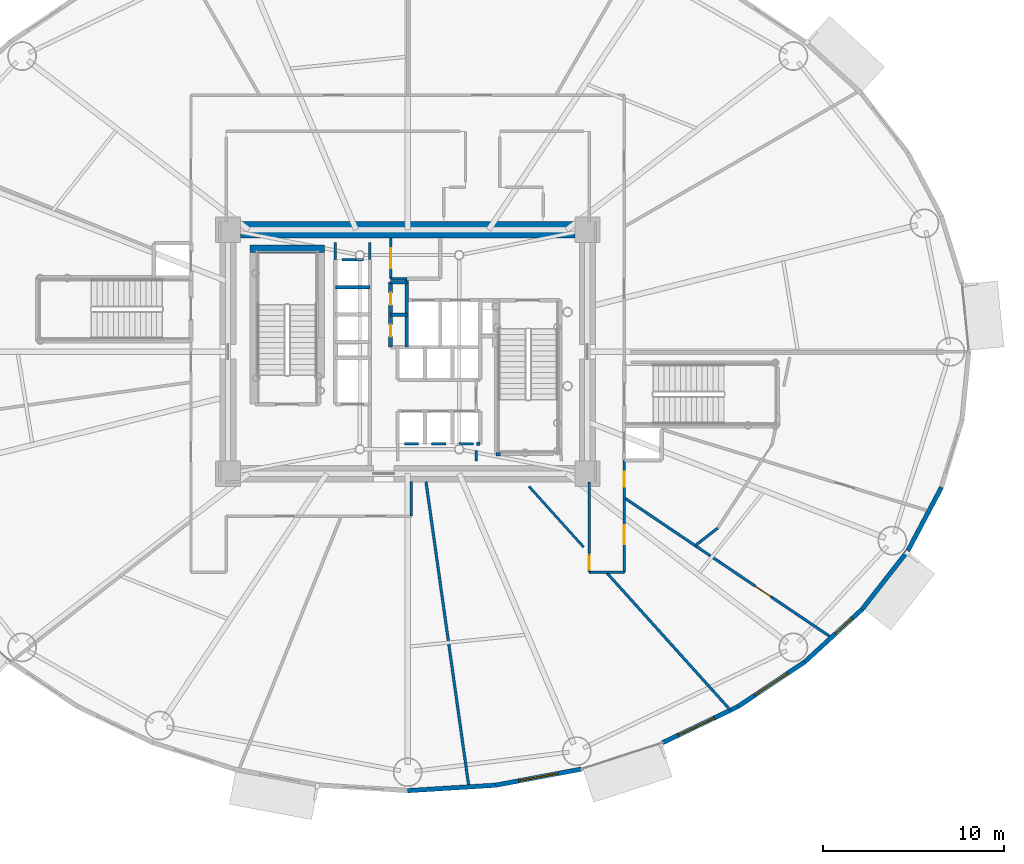
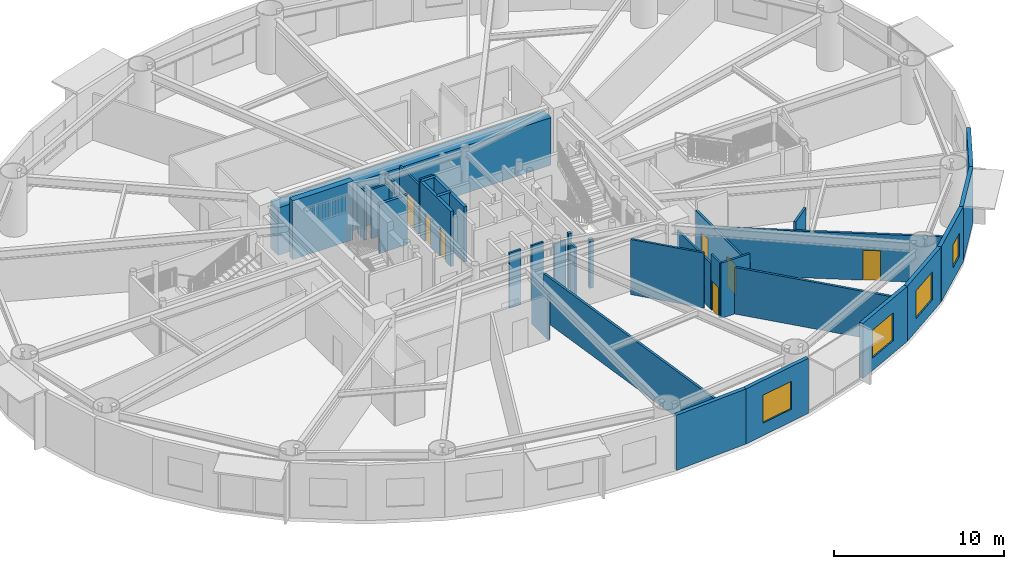
# One storey, part 17 of 32: 35 walls, 7 doors, 4 windows, 11 openings.
"""IFC4 building model written with IfcOpenShell, lengths in metres."""

from ifc_helpers import new_model, si_unit, direction, frame, frame_2d, origin, origin_2d, place, context, subcontext, project, spatial, rectangle, extrude, source, transform, mapped, material, layer, layer_set, type_object, element, fill, save


model = new_model("IFC4")

# Units and contexts
model_context = context("Model", 3, precision=1e-05, world=origin(), true_north=direction((0.0, 1.0)))
body_context = subcontext(model_context, "Body", "Model", "MODEL_VIEW")
ifc_project = project(units=[si_unit("LENGTHUNIT", "METRE"), si_unit("AREAUNIT", "SQUARE_METRE"), si_unit("VOLUMEUNIT", "CUBIC_METRE"), si_unit("PLANEANGLEUNIT", "RADIAN"), si_unit("MASSUNIT", "GRAM", prefix="KILO")], contexts=[model_context])

# Site, building, storey
site_placement = place(None, origin())
site = spatial("IfcSite", under=ifc_project, at=site_placement, CompositionType="ELEMENT")
building_placement = place(site_placement, origin())
building = spatial("IfcBuilding", under=site, at=building_placement, Name="Linh Dai School and Residence Tower", CompositionType="ELEMENT")
storey_placement = place(building_placement, frame((0.0, 0.0, 40.800048828125)))
storey = spatial("IfcBuildingStorey", under=building, at=storey_placement, Name="L09", CompositionType="ELEMENT", Elevation=40.800048828125)

# Wall
ifc_material_1 = material(Name="Precast Concrete B45 (C35/45)", Category="concrete")
ifc_layer_1 = layer(ifc_material_1, 0.25)
ifc_layer_set_1 = layer_set([ifc_layer_1], Name="Precast Concrete B45 (C35/45)")
wall_type_1 = type_object("IfcWallType", Name="EW-TC-250", PredefinedType="SOLIDWALL", material=ifc_layer_set_1)
wall_1_placement = place(storey_placement, frame((40.865478515625, 2.994873046875, 0.0), z_axis=(0.0, 0.0, 1.0), x_axis=(-0.998106954071, -0.061502099433, 0.0)))
element("IfcWall", 1, at=wall_1_placement, inside=storey, type_object=wall_type_1, Name="L09 Terracotta Exterior Wall 31", PredefinedType="SOLIDWALL", context=body_context, shape_type="SweptSolid", body=[
    extrude(rectangle(XDim=4.874755859375, YDim=0.25, at=frame_2d((2.4375, 0.0))), origin(), (0.0, 0.0, 1.0), 3.949951171875),
])

# Wall, opening, window
wall_2_placement = place(storey_placement, frame((45.610595703125, 3.88671875, 0.0), z_axis=(0.0, 0.0, 1.0), x_axis=(-0.982791952378, -0.184715939598, 0.0)))
wall_2 = element("IfcWall", 2, at=wall_2_placement, inside=storey, type_object=wall_type_1, Name="L09 Terracotta Exterior Wall 32", PredefinedType="SOLIDWALL", context=body_context, shape_type="SweptSolid", body=[
    extrude(rectangle(XDim=4.828125, YDim=0.25, at=frame_2d((2.4140625, 0.0))), origin(), (0.0, 0.0, 1.0), 3.949951171875),
])
opening_1_placement = place(wall_2_placement, frame((1.314208984375, 0.0, 0.89990234375)))
opening_1 = element("IfcOpeningElement", 3, at=opening_1_placement, cuts=wall_2, Name="Opening W4", PredefinedType="OPENING", context=body_context, shape_type="SweptSolid", body=[
    extrude(rectangle(XDim=2.199951171875, YDim=2.0, at=origin_2d()), frame((1.10009765625, 0.135009765625, 1.0), z_axis=(0.0, -1.0, 0.0), x_axis=(1.0, 0.0, 0.0)), (0.0, 0.0, 1.0), 0.27001953125),
])
ifc_material_2 = material(Name="Acoustic Laminated Low-E Glazing", Category="glass")
window_type_1 = type_object("IfcWindowType", Name="WN-SCH-2200x2000", PartitioningType="TRIPLE_PANEL_VERTICAL", PredefinedType="WINDOW", material=ifc_material_2)
shared_shape_1 = source(origin(), body_context, "Body", "SweptSolid", [
    extrude(rectangle(XDim=2.199951171875, YDim=2.0, at=origin_2d()), frame((1.10009765625, 0.030029296875, 1.0), z_axis=(0.0, -1.0, 0.0), x_axis=(1.0, 0.0, 0.0)), (0.0, 0.0, 1.0), 0.06005859375),
])
window_1_placement = place(opening_1_placement, origin())
window_1 = element("IfcWindow", 4, at=window_1_placement, inside=storey, type_object=window_type_1, Name="L09 Exterior Window 32.1", OverallHeight=2.0, OverallWidth=2.199951171875, PartitioningType="TRIPLE_PANEL_VERTICAL", PredefinedType="WINDOW", context=body_context, shape_type="MappedRepresentation", body=[
    mapped(shared_shape_1, transform((0.0, 0.0, 0.0), x_axis=(1.0, 0.0, 0.0), y_axis=(0.0, 1.0, 0.0), z_axis=(0.0, 0.0, 1.0), scale=1.0)),
])
fill(opening_1, window_1)

wall_3_placement = place(storey_placement, frame((54.277099609375, 7.34423828125, 0.0), z_axis=(0.0, 0.0, 1.0), x_axis=(-0.901601503137, -0.432567601123, 0.0)))
wall_3 = element("IfcWall", 5, at=wall_3_placement, inside=storey, type_object=wall_type_1, Name="L09 Terracotta Exterior Wall 34", PredefinedType="SOLIDWALL", context=body_context, shape_type="SweptSolid", body=[
    extrude(rectangle(XDim=4.61279296875, YDim=0.25, at=frame_2d((2.306396484375, 0.0))), origin(), (0.0, 0.0, 1.0), 3.949951171875),
])
opening_2_placement = place(wall_3_placement, frame((1.444580078125, 0.0, 0.89990234375)))
opening_2 = element("IfcOpeningElement", 6, at=opening_2_placement, cuts=wall_3, Name="Opening W4", PredefinedType="OPENING", context=body_context, shape_type="SweptSolid", body=[
    extrude(rectangle(XDim=2.199951171875, YDim=2.0, at=origin_2d()), frame((1.10009765625, 0.135009765625, 1.0), z_axis=(0.0, -1.0, 0.0), x_axis=(1.0, 0.0, 0.0)), (0.0, 0.0, 1.0), 0.27001953125),
])
window_2_placement = place(opening_2_placement, origin())
window_2 = element("IfcWindow", 7, at=window_2_placement, inside=storey, type_object=window_type_1, Name="L09 Exterior Window 34.1", OverallHeight=2.0, OverallWidth=2.199951171875, PartitioningType="TRIPLE_PANEL_VERTICAL", PredefinedType="WINDOW", context=body_context, shape_type="MappedRepresentation", body=[
    mapped(shared_shape_1, transform((0.0, 0.0, 0.0), x_axis=(1.0, 0.0, 0.0), y_axis=(0.0, 1.0, 0.0), z_axis=(0.0, 0.0, 1.0), scale=1.0)),
])
fill(opening_2, window_2)

wall_4_placement = place(storey_placement, frame((57.984619140625, 9.82373046875, 0.0), z_axis=(0.0, 0.0, 1.0), x_axis=(-0.831240982525, -0.555912249343, 0.0)))
wall_4 = element("IfcWall", 8, at=wall_4_placement, inside=storey, type_object=wall_type_1, Name="L09 Terracotta Exterior Wall 35", PredefinedType="SOLIDWALL", context=body_context, shape_type="SweptSolid", body=[
    extrude(rectangle(XDim=4.460205078125, YDim=0.25, at=frame_2d((2.22998046875, 0.0))), origin(), (0.0, 0.0, 1.0), 3.949951171875),
])
opening_3_placement = place(wall_4_placement, frame((1.13037109375, 0.0, 0.89990234375)))
opening_3 = element("IfcOpeningElement", 9, at=opening_3_placement, cuts=wall_4, Name="Opening W4", PredefinedType="OPENING", context=body_context, shape_type="SweptSolid", body=[
    extrude(rectangle(XDim=2.199951171875, YDim=2.0, at=origin_2d()), frame((1.10009765625, 0.135009765625, 1.0), z_axis=(0.0, -1.0, 0.0), x_axis=(1.0, 0.0, 0.0)), (0.0, 0.0, 1.0), 0.27001953125),
])
window_3_placement = place(opening_3_placement, origin())
window_3 = element("IfcWindow", 10, at=window_3_placement, inside=storey, type_object=window_type_1, Name="L09 Exterior Window 35.1", OverallHeight=2.0, OverallWidth=2.199951171875, PartitioningType="TRIPLE_PANEL_VERTICAL", PredefinedType="WINDOW", context=body_context, shape_type="MappedRepresentation", body=[
    mapped(shared_shape_1, transform((0.0, 0.0, 0.0), x_axis=(1.0, 0.0, 0.0), y_axis=(0.0, 1.0, 0.0), z_axis=(0.0, 0.0, 1.0), scale=1.0)),
])
fill(opening_3, window_3)

wall_5_placement = place(storey_placement, frame((61.149658203125, 12.725341796875, 0.0), z_axis=(0.0, 0.0, 1.0), x_axis=(-0.737116376281, -0.67576582321, 0.0)))
wall_5 = element("IfcWall", 11, at=wall_5_placement, inside=storey, type_object=wall_type_1, Name="L09 Terracotta Exterior Wall 36", PredefinedType="SOLIDWALL", context=body_context, shape_type="SweptSolid", body=[
    extrude(rectangle(XDim=4.293701171875, YDim=0.25, at=frame_2d((2.14697265625, 0.0))), origin(), (0.0, 0.0, 1.0), 3.949951171875),
])
opening_4_placement = place(wall_5_placement, frame((0.731201171875, 0.0, 0.89990234375)))
opening_4 = element("IfcOpeningElement", 12, at=opening_4_placement, cuts=wall_5, Name="Opening W3", PredefinedType="OPENING", context=body_context, shape_type="SweptSolid", body=[
    extrude(rectangle(XDim=1.25, YDim=1.64990234375, at=origin_2d()), frame((0.625, 0.135009765625, 0.824951171875), z_axis=(0.0, -1.0, 0.0), x_axis=(1.0, 0.0, 0.0)), (0.0, 0.0, 1.0), 0.27001953125),
])
ifc_material_3 = material(Name="Double Low-E Insulated Glazing", Category="glass")
window_type_2 = type_object("IfcWindowType", Name="WN-RES-1250x1650", PartitioningType="SINGLE_PANEL", PredefinedType="WINDOW", material=ifc_material_3)
shared_shape_2 = source(origin(), body_context, "Body", "SweptSolid", [
    extrude(rectangle(XDim=1.25, YDim=1.64990234375, at=origin_2d()), frame((0.625, 0.030029296875, 0.824951171875), z_axis=(0.0, -1.0, 0.0), x_axis=(1.0, 0.0, 0.0)), (0.0, 0.0, 1.0), 0.06005859375),
])
window_4_placement = place(opening_4_placement, origin())
window_4 = element("IfcWindow", 13, at=window_4_placement, inside=storey, type_object=window_type_2, Name="L09 Exterior Window 36.1", OverallHeight=1.64990234375, OverallWidth=1.25, PartitioningType="SINGLE_PANEL", PredefinedType="WINDOW", context=body_context, shape_type="MappedRepresentation", body=[
    mapped(shared_shape_2, transform((0.0, 0.0, 0.0), x_axis=(1.0, 0.0, 0.0), y_axis=(0.0, 1.0, 0.0), z_axis=(0.0, 0.0, 1.0), scale=1.0)),
])
fill(opening_4, window_4)

# Walls
wall_6_placement = place(storey_placement, frame((63.694580078125, 15.977294921875, 0.0), z_axis=(0.0, 0.0, 1.0), x_axis=(-0.616295508253, -0.787514981767, 0.0)))
element("IfcWall", 14, at=wall_6_placement, inside=storey, type_object=wall_type_1, Name="L09 Terracotta Exterior Wall 37", PredefinedType="SOLIDWALL", context=body_context, shape_type="SweptSolid", body=[
    extrude(rectangle(XDim=4.12939453125, YDim=0.25, at=frame_2d((2.064697265625, 0.0))), origin(), (0.0, 0.0, 1.0), 3.949951171875),
])
wall_7_placement = place(storey_placement, frame((65.5576171875, 19.49853515625, 0.0), z_axis=(0.0, 0.0, 1.0), x_axis=(-0.467662443071, -0.883907144072, 0.0)))
element("IfcWall", 15, at=wall_7_placement, inside=storey, type_object=wall_type_1, Name="L09 Terracotta Exterior Wall 38", PredefinedType="SOLIDWALL", context=body_context, shape_type="SweptSolid", body=[
    extrude(rectangle(XDim=3.983642578125, YDim=0.25, at=frame_2d((1.99169921875, 0.0))), origin(), (0.0, 0.0, 1.0), 3.949951171875),
])

# Wall, opening, door
ifc_material_4 = material(Name="Autoclaved Aerated Concrete Blockwork", Category="masonry")
ifc_layer_2 = layer(ifc_material_4, 0.135009765625)
ifc_layer_set_2 = layer_set([ifc_layer_2], Name="Autoclaved Aerated Concrete Blockwork")
wall_type_2 = type_object("IfcWallType", Name="IW-CORR-135-EI90", PredefinedType="PARTITIONING", material=ifc_layer_set_2)
wall_8_placement = place(storey_placement, frame((35.050048828125, 31.050048828125, 0.0), z_axis=(0.0, 0.0, 1.0), x_axis=(0.0, 1.0, 0.0)))
wall_8 = element("IfcWall", 16, at=wall_8_placement, inside=storey, type_object=wall_type_2, Name="L09 Interior Partition Wall 031", PredefinedType="PARTITIONING", context=body_context, shape_type="SweptSolid", body=[
    extrude(rectangle(XDim=2.25, YDim=0.135009765625, at=frame_2d((1.125, 0.0))), origin(), (0.0, 0.0, 1.0), 3.534912109375),
])
opening_5_placement = place(wall_8_placement, frame((0.574951171875, 0.0, 0.0)))
opening_5 = element("IfcOpeningElement", 17, at=opening_5_placement, cuts=wall_8, Name="Opening D07", PredefinedType="OPENING", context=body_context, shape_type="SweptSolid", body=[
    extrude(rectangle(XDim=1.10009765625, YDim=2.14990234375, at=origin_2d()), frame((0.550048828125, 0.07763671875, 1.074951171875), z_axis=(0.0, -1.0, 0.0), x_axis=(1.0, 0.0, 0.0)), (0.0, 0.0, 1.0), 0.155029296875),
])
ifc_material_5 = material(Name="Fire-Rated Louvred Steel Plant Door", Category="steel")
door_type_1 = type_object("IfcDoorType", Name="DR-PLT-1100x2150-FD60S", OperationType="NOTDEFINED", PredefinedType="DOOR", material=ifc_material_5)
shared_shape_3 = source(origin(), body_context, "Body", "SweptSolid", [
    extrude(rectangle(XDim=1.10009765625, YDim=2.14990234375, at=origin_2d()), frame((0.550048828125, 0.02490234375, 1.074951171875), z_axis=(0.0, -1.0, 0.0), x_axis=(1.0, 0.0, 0.0)), (0.0, 0.0, 1.0), 0.050048828125),
])
door_1_placement = place(opening_5_placement, origin())
door_1 = element("IfcDoor", 18, at=door_1_placement, inside=storey, type_object=door_type_1, Name="L09 North BMS Switchroom Door", OperationType="SINGLE_SWING_LEFT", OverallHeight=2.14990234375, OverallWidth=1.10009765625, PredefinedType="DOOR", context=body_context, shape_type="MappedRepresentation", body=[
    mapped(shared_shape_3, transform((0.0, 0.0, 0.0), x_axis=(1.0, 0.0, 0.0), y_axis=(0.0, 1.0, 0.0), z_axis=(0.0, 0.0, 1.0), scale=1.0)),
])
fill(opening_5, door_1)

# Walls
wall_9_placement = place(storey_placement, frame((35.050048828125, 31.050048828125, 0.0), z_axis=(0.0, 0.0, 1.0), x_axis=(1.0, 0.0, 0.0)))
element("IfcWall", 19, at=wall_9_placement, inside=storey, type_object=wall_type_2, Name="L09 Interior Partition Wall 032", PredefinedType="PARTITIONING", context=body_context, shape_type="SweptSolid", body=[
    extrude(rectangle(XDim=0.89990234375, YDim=0.135009765625, at=frame_2d((0.449951171875, 0.0))), origin(), (0.0, 0.0, 1.0), 3.949951171875),
])
wall_10_placement = place(storey_placement, frame((36.199951171875, 17.89990234375, 0.0), z_axis=(0.0, 0.0, 1.0), x_axis=(0.0, 1.0, 0.0)))
element("IfcWall", 20, at=wall_10_placement, inside=storey, type_object=wall_type_2, Name="L09 Interior Partition Wall 041", PredefinedType="PARTITIONING", context=body_context, shape_type="SweptSolid", body=[
    extrude(rectangle(XDim=1.900146484375, YDim=0.135009765625, at=frame_2d((0.9501953125, 0.0))), origin(), (0.0, 0.0, 1.0), 3.284912109375),
])

# Wall, opening, door
wall_11_placement = place(storey_placement, frame((46.050048828125, 14.800048828125, 0.0), z_axis=(0.0, 0.0, 1.0), x_axis=(0.0, 1.0, 0.0)))
wall_11 = element("IfcWall", 21, at=wall_11_placement, inside=storey, type_object=wall_type_2, Name="L09 Interior Partition Wall 058", PredefinedType="PARTITIONING", context=body_context, shape_type="SweptSolid", body=[
    extrude(rectangle(XDim=1.038330078125, YDim=0.135009765625, at=frame_2d((0.51904296875, 0.0))), origin(), (0.0, 0.0, 1.0), 3.949951171875),
])
opening_6_placement = place(wall_11_placement, frame((0.109130859375, 0.0, 0.0)))
opening_6 = element("IfcOpeningElement", 22, at=opening_6_placement, cuts=wall_11, Name="Opening D06", PredefinedType="OPENING", context=body_context, shape_type="SweptSolid", body=[
    extrude(rectangle(XDim=0.820068359375, YDim=2.10009765625, at=origin_2d()), frame((0.41015625, 0.07763671875, 1.050048828125), z_axis=(0.0, -1.0, 0.0), x_axis=(1.0, 0.0, 0.0)), (0.0, 0.0, 1.0), 0.155029296875),
])
ifc_material_6 = material(Name="Moisture-Resistant Timber Bathroom Door", Category="wood")
door_type_2 = type_object("IfcDoorType", Name="DR-WET-820x2100", OperationType="NOTDEFINED", PredefinedType="DOOR", material=ifc_material_6)
shared_shape_4 = source(origin(), body_context, "Body", "SweptSolid", [
    extrude(rectangle(XDim=0.820068359375, YDim=2.10009765625, at=origin_2d()), frame((0.41015625, 0.02490234375, 1.050048828125), z_axis=(0.0, -1.0, 0.0), x_axis=(1.0, 0.0, 0.0)), (0.0, 0.0, 1.0), 0.050048828125),
])
door_2_placement = place(opening_6_placement, origin())
door_2 = element("IfcDoor", 23, at=door_2_placement, inside=storey, type_object=door_type_2, Name="L09 Design and Architecture Studio Door", OperationType="SINGLE_SWING_RIGHT", OverallHeight=2.10009765625, OverallWidth=0.820068359375, PredefinedType="DOOR", context=body_context, shape_type="MappedRepresentation", body=[
    mapped(shared_shape_4, transform((0.0, 0.0, 0.0), x_axis=(1.0, 0.0, 0.0), y_axis=(0.0, 1.0, 0.0), z_axis=(0.0, 0.0, 1.0), scale=1.0)),
])
fill(opening_6, door_2)

# Wall
wall_12_placement = place(storey_placement, frame((46.050048828125, 14.800048828125, 0.0), z_axis=(0.0, 0.0, 1.0), x_axis=(1.0, 0.0, 0.0)))
element("IfcWall", 24, at=wall_12_placement, inside=storey, type_object=wall_type_2, Name="L09 Interior Partition Wall 059", PredefinedType="PARTITIONING", context=body_context, shape_type="SweptSolid", body=[
    extrude(rectangle(XDim=1.949951171875, YDim=0.135009765625, at=frame_2d((0.97509765625, 0.0))), origin(), (0.0, 0.0, 1.0), 3.949951171875),
])

# Wall, openings, doors
wall_13_placement = place(storey_placement, frame((48.0, 14.800048828125, 0.0), z_axis=(0.0, 0.0, 1.0), x_axis=(0.0, 1.0, 0.0)))
wall_13 = element("IfcWall", 25, at=wall_13_placement, inside=storey, type_object=wall_type_2, Name="L09 Interior Partition Wall 061", PredefinedType="PARTITIONING", context=body_context, shape_type="SweptSolid", body=[
    extrude(rectangle(XDim=6.199951171875, YDim=0.135009765625, at=frame_2d((3.10009765625, 0.0))), origin(), (0.0, 0.0, 1.0), 3.284912109375),
])
opening_7_placement = place(wall_13_placement, frame((1.5478515625, 0.0, 0.0)))
opening_7 = element("IfcOpeningElement", 26, at=opening_7_placement, cuts=wall_13, Name="Opening D04", PredefinedType="OPENING", context=body_context, shape_type="SweptSolid", body=[
    extrude(rectangle(XDim=1.050048828125, YDim=2.14990234375, at=origin_2d()), frame((0.52490234375, 0.07763671875, 1.074951171875), z_axis=(0.0, -1.0, 0.0), x_axis=(1.0, 0.0, 0.0)), (0.0, 0.0, 1.0), 0.155029296875),
])
opening_8_placement = place(wall_13_placement, frame((4.722900390625, 0.0, 0.0)))
opening_8 = element("IfcOpeningElement", 27, at=opening_8_placement, cuts=wall_13, Name="Opening D06", PredefinedType="OPENING", context=body_context, shape_type="SweptSolid", body=[
    extrude(rectangle(XDim=0.820068359375, YDim=2.10009765625, at=origin_2d()), frame((0.41015625, 0.07763671875, 1.050048828125), z_axis=(0.0, -1.0, 0.0), x_axis=(1.0, 0.0, 0.0)), (0.0, 0.0, 1.0), 0.155029296875),
])
ifc_material_7 = material(Name="Acoustic Vision-Panel Timber Classroom Door", Category="wood")
door_type_3 = type_object("IfcDoorType", Name="DR-SCH-1050x2150-FD60S", OperationType="NOTDEFINED", PredefinedType="DOOR", material=ifc_material_7)
shared_shape_5 = source(origin(), body_context, "Body", "SweptSolid", [
    extrude(rectangle(XDim=1.050048828125, YDim=2.14990234375, at=origin_2d()), frame((0.52490234375, 0.02490234375, 1.074951171875), z_axis=(0.0, -1.0, 0.0), x_axis=(1.0, 0.0, 0.0)), (0.0, 0.0, 1.0), 0.050048828125),
])
door_3_placement = place(opening_7_placement, origin())
door_3 = element("IfcDoor", 28, at=door_3_placement, inside=storey, type_object=door_type_3, Name="L09 Year-Group Pastoral Staff Office Door", OperationType="SINGLE_SWING_LEFT", OverallHeight=2.14990234375, OverallWidth=1.050048828125, PredefinedType="DOOR", context=body_context, shape_type="MappedRepresentation", body=[
    mapped(shared_shape_5, transform((0.0, 0.0, 0.0), x_axis=(1.0, 0.0, 0.0), y_axis=(0.0, 1.0, 0.0), z_axis=(0.0, 0.0, 1.0), scale=1.0)),
])
fill(opening_7, door_3)
door_4_placement = place(opening_8_placement, origin())
door_4 = element("IfcDoor", 29, at=door_4_placement, inside=storey, type_object=door_type_2, Name="L09 Floor Boys WC Door", OperationType="SINGLE_SWING_RIGHT", OverallHeight=2.10009765625, OverallWidth=0.820068359375, PredefinedType="DOOR", context=body_context, shape_type="MappedRepresentation", body=[
    mapped(shared_shape_4, transform((0.0, 0.0, 0.0), x_axis=(1.0, 0.0, 0.0), y_axis=(0.0, 1.0, 0.0), z_axis=(0.0, 0.0, 1.0), scale=1.0)),
])
fill(opening_8, door_4)

# Walls
wall_14_placement = place(storey_placement, frame((36.60009765625, 21.89990234375, 0.0), z_axis=(0.0, 0.0, 1.0), x_axis=(-1.0, 0.0, 0.0)))
element("IfcWall", 30, at=wall_14_placement, inside=storey, type_object=wall_type_2, Name="L09 Interior Partition Wall 076", PredefinedType="PARTITIONING", context=body_context, shape_type="SweptSolid", body=[
    extrude(rectangle(XDim=0.7900390625, YDim=0.135009765625, at=frame_2d((0.39501953125, 0.0))), origin(), (0.0, 0.0, 1.0), 3.949951171875),
])
wall_15_placement = place(storey_placement, frame((38.1201171875, 21.89990234375, 0.0), z_axis=(0.0, 0.0, 1.0), x_axis=(-1.0, 0.0, 0.0)))
element("IfcWall", 31, at=wall_15_placement, inside=storey, type_object=wall_type_2, Name="L09 Interior Partition Wall 077", PredefinedType="PARTITIONING", context=body_context, shape_type="SweptSolid", body=[
    extrude(rectangle(XDim=0.800048828125, YDim=0.135009765625, at=frame_2d((0.39990234375, 0.0))), origin(), (0.0, 0.0, 1.0), 3.949951171875),
])
wall_16_placement = place(storey_placement, frame((39.639892578125, 21.89990234375, 0.0), z_axis=(0.0, 0.0, 1.0), x_axis=(-1.0, 0.0, 0.0)))
element("IfcWall", 32, at=wall_16_placement, inside=storey, type_object=wall_type_2, Name="L09 Interior Partition Wall 078", PredefinedType="PARTITIONING", context=body_context, shape_type="SweptSolid", body=[
    extrude(rectangle(XDim=0.7998046875, YDim=0.135009765625, at=frame_2d((0.39990234375, 0.0))), origin(), (0.0, 0.0, 1.0), 3.534912109375),
])
wall_17_placement = place(storey_placement, frame((32.360107421875, 32.10009765625, 0.0), z_axis=(0.0, 0.0, 1.0), x_axis=(1.0, 0.0, 0.0)))
element("IfcWall", 33, at=wall_17_placement, inside=storey, type_object=wall_type_2, Name="L09 Interior Partition Wall 079", PredefinedType="PARTITIONING", context=body_context, shape_type="SweptSolid", body=[
    extrude(rectangle(XDim=1.179931640625, YDim=0.135009765625, at=frame_2d((0.58984375, 0.0))), origin(), (0.0, 0.0, 1.0), 3.534912109375),
])
wall_18_placement = place(storey_placement, frame((39.800048828125, 20.9599609375, 0.0), z_axis=(0.0, 0.0, 1.0), x_axis=(0.0, 1.0, 0.0)))
element("IfcWall", 34, at=wall_18_placement, inside=storey, type_object=wall_type_2, Name="L09 Interior Partition Wall 080", PredefinedType="PARTITIONING", context=body_context, shape_type="SweptSolid", body=[
    extrude(rectangle(XDim=0.580078125, YDim=0.135009765625, at=frame_2d((0.2900390625, 0.0))), origin(), (0.0, 0.0, 1.0), 3.48486328125),
])
wall_19_placement = place(storey_placement, frame((32.0, 33.0400390625, 0.0), z_axis=(0.0, 0.0, 1.0), x_axis=(0.0, -1.0, 0.0)))
element("IfcWall", 35, at=wall_19_placement, inside=storey, type_object=wall_type_2, Name="L09 Interior Partition Wall 081", PredefinedType="PARTITIONING", context=body_context, shape_type="SweptSolid", body=[
    extrude(rectangle(XDim=0.929931640625, YDim=0.135009765625, at=frame_2d((0.46484375, 0.0))), origin(), (0.0, 0.0, 1.0), 3.48486328125),
])
wall_20_placement = place(storey_placement, frame((33.89990234375, 32.110107421875, 0.0), z_axis=(0.0, 0.0, 1.0), x_axis=(0.0, 1.0, 0.0)))
element("IfcWall", 36, at=wall_20_placement, inside=storey, type_object=wall_type_2, Name="L09 Interior Partition Wall 084", PredefinedType="PARTITIONING", context=body_context, shape_type="SweptSolid", body=[
    extrude(rectangle(XDim=0.929931640625, YDim=0.135009765625, at=frame_2d((0.46484375, 0.0))), origin(), (0.0, 0.0, 1.0), 3.534912109375),
])
wall_21_placement = place(storey_placement, frame((46.050048828125, 15.848388671875, 0.0), z_axis=(0.0, 0.0, 1.0), x_axis=(0.0, 1.0, 0.0)))
element("IfcWall", 37, at=wall_21_placement, inside=storey, type_object=wall_type_2, Name="L09 Interior Partition Wall 088", PredefinedType="PARTITIONING", context=body_context, shape_type="SweptSolid", body=[
    extrude(rectangle(XDim=3.95166015625, YDim=0.135009765625, at=frame_2d((1.975830078125, 0.0))), origin(), (0.0, 0.0, 1.0), 3.284912109375),
])
wall_22_placement = place(storey_placement, frame((42.717041015625, 19.5400390625, 0.0), z_axis=(0.0, 0.0, 1.0), x_axis=(0.669122827361, -0.743151829645, 0.0)))
element("IfcWall", 38, at=wall_22_placement, inside=storey, type_object=wall_type_2, Name="L09 Interior Partition Wall 105", PredefinedType="PARTITIONING", context=body_context, shape_type="SweptSolid", body=[
    extrude(rectangle(XDim=4.521484375, YDim=0.135009765625, at=frame_2d((2.2607421875, 0.0))), origin(), (0.0, 0.0, 1.0), 3.949951171875),
])
ifc_layer_3 = layer(ifc_material_4, 0.14990234375)
ifc_layer_set_3 = layer_set([ifc_layer_3], Name="Autoclaved Aerated Concrete Blockwork")
wall_type_3 = type_object("IfcWallType", Name="IW-SCH-150-EI60", PredefinedType="PARTITIONING", material=ifc_layer_set_3)
wall_23_placement = place(storey_placement, frame((37.011962890625, 19.800048828125, 0.0), z_axis=(0.0, 0.0, 1.0), x_axis=(0.139168038406, -0.990268780224, 0.0)))
element("IfcWall", 39, at=wall_23_placement, inside=storey, type_object=wall_type_3, Name="L09 Interior Partition Wall 044", PredefinedType="PARTITIONING", context=body_context, shape_type="SweptSolid", body=[
    extrude(rectangle(XDim=17.0673828125, YDim=0.14990234375, at=frame_2d((8.53369140625, 0.0))), origin(), (0.0, 0.0, 1.0), 3.3349609375),
])
wall_24_placement = place(storey_placement, frame((46.98486328125, 14.800048828125, 0.0), z_axis=(0.0, 0.0, 1.0), x_axis=(0.669133664768, -0.743142071662, 0.0)))
element("IfcWall", 40, at=wall_24_placement, inside=storey, type_object=wall_type_3, Name="L09 Interior Partition Wall 060", PredefinedType="PARTITIONING", context=body_context, shape_type="SweptSolid", body=[
    extrude(rectangle(XDim=10.298828125, YDim=0.14990234375, at=frame_2d((5.1494140625, 0.0))), origin(), (0.0, 0.0, 1.0), 3.3349609375),
])

# Wall, opening, door
wall_25_placement = place(storey_placement, frame((48.0, 18.906005859375, 0.0), z_axis=(0.0, 0.0, 1.0), x_axis=(0.829036724814, -0.559194160296, 0.0)))
wall_25 = element("IfcWall", 41, at=wall_25_placement, inside=storey, type_object=wall_type_3, Name="L09 Interior Partition Wall 062", PredefinedType="PARTITIONING", context=body_context, shape_type="SweptSolid", body=[
    extrude(rectangle(XDim=13.828125, YDim=0.14990234375, at=frame_2d((6.9140625, 0.0))), origin(), (0.0, 0.0, 1.0), 3.3349609375),
])
opening_9_placement = place(wall_25_placement, frame((8.7333984375, 0.0, 0.0)))
opening_9 = element("IfcOpeningElement", 42, at=opening_9_placement, cuts=wall_25, Name="Opening D04", PredefinedType="OPENING", context=body_context, shape_type="SweptSolid", body=[
    extrude(rectangle(XDim=1.050048828125, YDim=2.14990234375, at=origin_2d()), frame((0.52490234375, 0.0849609375, 1.074951171875), z_axis=(0.0, -1.0, 0.0), x_axis=(1.0, 0.0, 0.0)), (0.0, 0.0, 1.0), 0.169921875),
])
door_5_placement = place(opening_9_placement, origin())
door_5 = element("IfcDoor", 43, at=door_5_placement, inside=storey, type_object=door_type_3, Name="L09 Resource Study Room BWC Door", OperationType="SINGLE_SWING_LEFT", OverallHeight=2.14990234375, OverallWidth=1.050048828125, PredefinedType="DOOR", context=body_context, shape_type="MappedRepresentation", body=[
    mapped(shared_shape_5, transform((0.0, 0.0, 0.0), x_axis=(1.0, 0.0, 0.0), y_axis=(0.0, 1.0, 0.0), z_axis=(0.0, 0.0, 1.0), scale=1.0)),
])
fill(opening_9, door_5)

# Walls
wall_26_placement = place(storey_placement, frame((51.92041015625, 16.26171875, 0.0), z_axis=(0.0, 0.0, 1.0), x_axis=(0.787325584525, 0.616537447324, 0.0)))
element("IfcWall", 44, at=wall_26_placement, inside=storey, type_object=wall_type_3, Name="L09 Interior Partition Wall 070", PredefinedType="PARTITIONING", context=body_context, shape_type="SweptSolid", body=[
    extrude(rectangle(XDim=1.57958984375, YDim=0.14990234375, at=frame_2d((0.789794921875, 0.0))), origin(), (0.0, 0.0, 1.0), 3.949951171875),
])
ifc_material_8 = material(Name="Concrete B45 (C35/45)", Category="concrete")
ifc_layer_4 = layer(ifc_material_8, 0.199951171875)
ifc_layer_set_4 = layer_set([ifc_layer_4], Name="Concrete B45 (C35/45)")
wall_type_4 = type_object("IfcWallType", Name="IW-SHAFT-200-EI120", PredefinedType="PARTITIONING", material=ifc_layer_set_4)
wall_27_placement = place(storey_placement, frame((32.0, 30.580078125, 0.0), z_axis=(0.0, 0.0, 1.0), x_axis=(1.0, 0.0, 0.0)))
element("IfcWall", 45, at=wall_27_placement, inside=storey, type_object=wall_type_4, Name="L09 Interior Partition Wall 025", PredefinedType="PARTITIONING", context=body_context, shape_type="SweptSolid", body=[
    extrude(rectangle(XDim=1.89990234375, YDim=0.199951171875, at=frame_2d((0.949951171875, 0.0))), origin(), (0.0, 0.0, 1.0), 3.534912109375),
])

# Wall, openings, doors
wall_28_placement = place(storey_placement, frame((35.050048828125, 27.25, 0.0), z_axis=(0.0, 0.0, 1.0), x_axis=(0.0, 1.0, 0.0)))
wall_28 = element("IfcWall", 46, at=wall_28_placement, inside=storey, type_object=wall_type_4, Name="L09 Interior Partition Wall 027", PredefinedType="PARTITIONING", context=body_context, shape_type="SweptSolid", body=[
    extrude(rectangle(XDim=3.60009765625, YDim=0.199951171875, at=frame_2d((1.800048828125, 0.0))), origin(), (0.0, 0.0, 1.0), 3.949951171875),
])
opening_10_placement = place(wall_28_placement, frame((0.590087890625, 0.0, 0.0)))
opening_10 = element("IfcOpeningElement", 47, at=opening_10_placement, cuts=wall_28, Name="Opening AD1", PredefinedType="OPENING", context=body_context, shape_type="SweptSolid", body=[
    extrude(rectangle(XDim=0.659912109375, YDim=2.050048828125, at=origin_2d()), frame((0.330078125, 0.10986328125, 1.02490234375), z_axis=(0.0, -1.0, 0.0), x_axis=(1.0, 0.0, 0.0)), (0.0, 0.0, 1.0), 0.219970703125),
])
opening_11_placement = place(wall_28_placement, frame((2.35009765625, 0.0, 0.0)))
opening_11 = element("IfcOpeningElement", 48, at=opening_11_placement, cuts=wall_28, Name="Opening AD1", PredefinedType="OPENING", context=body_context, shape_type="SweptSolid", body=[
    extrude(rectangle(XDim=0.659912109375, YDim=2.050048828125, at=origin_2d()), frame((0.330078125, 0.10986328125, 1.02490234375), z_axis=(0.0, -1.0, 0.0), x_axis=(1.0, 0.0, 0.0)), (0.0, 0.0, 1.0), 0.219970703125),
])
ifc_material_9 = material(Name="Fire-Rated Steel Riser Access Door", Category="steel")
door_type_4 = type_object("IfcDoorType", Name="DR-ACC-660x2050-FD90S", OperationType="NOTDEFINED", PredefinedType="USERDEFINED", material=ifc_material_9)
shared_shape_6 = source(origin(), body_context, "Body", "SweptSolid", [
    extrude(rectangle(XDim=0.659912109375, YDim=2.050048828125, at=origin_2d()), frame((0.330078125, 0.02490234375, 1.02490234375), z_axis=(0.0, -1.0, 0.0), x_axis=(1.0, 0.0, 0.0)), (0.0, 0.0, 1.0), 0.050048828125),
])
door_6_placement = place(opening_10_placement, origin())
door_6 = element("IfcDoor", 49, at=door_6_placement, inside=storey, type_object=door_type_4, Name="L09 Telecom and Data Riser Access Door", ObjectType="ACCESS DOOR", OperationType="SINGLE_SWING_LEFT", OverallHeight=2.050048828125, OverallWidth=0.659912109375, PredefinedType="USERDEFINED", context=body_context, shape_type="MappedRepresentation", body=[
    mapped(shared_shape_6, transform((0.0, 0.0, 0.0), x_axis=(1.0, 0.0, 0.0), y_axis=(0.0, 1.0, 0.0), z_axis=(0.0, 0.0, 1.0), scale=1.0)),
])
fill(opening_10, door_6)
door_7_placement = place(opening_11_placement, origin())
door_7 = element("IfcDoor", 50, at=door_7_placement, inside=storey, type_object=door_type_4, Name="L09 Mechanical and Plumbing Riser Access Door", ObjectType="ACCESS DOOR", OperationType="SINGLE_SWING_RIGHT", OverallHeight=2.050048828125, OverallWidth=0.659912109375, PredefinedType="USERDEFINED", context=body_context, shape_type="MappedRepresentation", body=[
    mapped(shared_shape_6, transform((0.0, 0.0, 0.0), x_axis=(1.0, 0.0, 0.0), y_axis=(0.0, 1.0, 0.0), z_axis=(0.0, 0.0, 1.0), scale=1.0)),
])
fill(opening_11, door_7)

# Walls
for number, where, z_axis, x_axis, name in (
    (51, (35.050048828125, 29.050048828125, 0.0), (0.0, 0.0, 1.0), (1.0, 0.0, 0.0), "L09 Interior Partition Wall 029"),
    (52, (35.050048828125, 30.85009765625, 0.0), (0.0, 0.0, 1.0), (1.0, 0.0, 0.0), "L09 Interior Partition Wall 030"),
):
    element("IfcWall", number, at=place(storey_placement, frame(where, z_axis=z_axis, x_axis=x_axis)), inside=storey, type_object=wall_type_4, Name=name, PredefinedType="PARTITIONING", context=body_context, shape_type="SweptSolid", body=[
        extrude(rectangle(XDim=0.89990234375, YDim=0.199951171875, at=frame_2d((0.449951171875, 0.0))), origin(), (0.0, 0.0, 1.0), 3.949951171875),
    ])
wall_29_placement = place(storey_placement, frame((35.949951171875, 27.25, 0.0), z_axis=(0.0, 0.0, 1.0), x_axis=(0.0, 1.0, 0.0)))
element("IfcWall", 53, at=wall_29_placement, inside=storey, type_object=wall_type_4, Name="L09 Interior Partition Wall 037", PredefinedType="PARTITIONING", context=body_context, shape_type="SweptSolid", body=[
    extrude(rectangle(XDim=3.800048828125, YDim=0.199951171875, at=frame_2d((1.89990234375, 0.0))), origin(), (0.0, 0.0, 1.0), 3.949951171875),
])
wall_30_placement = place(storey_placement, frame((39.800048828125, 21.89990234375, 0.0), z_axis=(0.0, 0.0, 1.0), x_axis=(1.0, 0.0, 0.0)))
element("IfcWall", 54, at=wall_30_placement, inside=storey, type_object=wall_type_4, Name="L09 Interior Partition Wall 049", PredefinedType="PARTITIONING", context=body_context, shape_type="SweptSolid", body=[
    extrude(rectangle(XDim=0.199951171875, YDim=0.199951171875, at=frame_2d((0.10009765625, 0.0))), origin(), (0.0, 0.0, 1.0), 3.949951171875),
])
wall_31_placement = place(storey_placement, frame((40.89990234375, 21.330078125, 0.0), z_axis=(0.0, 0.0, 1.0), x_axis=(1.0, 0.0, 0.0)))
element("IfcWall", 55, at=wall_31_placement, inside=storey, type_object=wall_type_4, Name="L09 Interior Partition Wall 055", PredefinedType="PARTITIONING", context=body_context, shape_type="SweptSolid", body=[
    extrude(rectangle(XDim=0.25, YDim=0.199951171875, at=frame_2d((0.125, 0.0))), origin(), (0.0, 0.0, 1.0), 3.48486328125),
])
ifc_layer_5 = layer(ifc_material_8, 0.39990234375)
ifc_layer_set_5 = layer_set([ifc_layer_5], Name="Concrete B45 (C35/45)")
wall_type_5 = type_object("IfcWallType", Name="WL-CORE400", PredefinedType="SHEAR", material=ifc_layer_set_5)
wall_32_placement = place(storey_placement, frame((27.280029296875, 32.699951171875, 0.0), z_axis=(0.0, 0.0, 1.0), x_axis=(1.0, 0.0, 0.0)))
element("IfcWall", 56, at=wall_32_placement, inside=storey, type_object=wall_type_5, Name="L09 Core Stair ST1 Bearing Wall N", PredefinedType="SHEAR", context=body_context, shape_type="SweptSolid", body=[
    extrude(rectangle(XDim=4.099853515625, YDim=0.39990234375, at=frame_2d((2.0498046875, 0.0))), origin(), (0.0, 0.0, 1.0), 4.199951171875),
])
ifc_material_10 = material(Name="Concrete B60 (C50/60)", Category="concrete")
ifc_layer_6 = layer(ifc_material_10, 0.89990234375)
ifc_layer_set_6 = layer_set([ifc_layer_6], Name="Concrete B60 (C50/60)")
wall_type_6 = type_object("IfcWallType", Name="WL-CORE900", PredefinedType="SHEAR", material=ifc_layer_set_6)
wall_33_placement = place(storey_placement, frame((26.75, 33.75, 0.0), z_axis=(0.0, 0.0, 1.0), x_axis=(1.0, 0.0, 0.0)))
element("IfcWall", 57, at=wall_33_placement, inside=storey, type_object=wall_type_6, Name="L09 Central Core Shear Wall N", PredefinedType="SHEAR", context=body_context, shape_type="SweptSolid", body=[
    extrude(rectangle(XDim=18.5, YDim=0.89990234375, at=frame_2d((9.25, 0.0))), origin(), (0.0, 0.0, 1.0), 3.39990234375),
])

save(model, "model.ifc")
